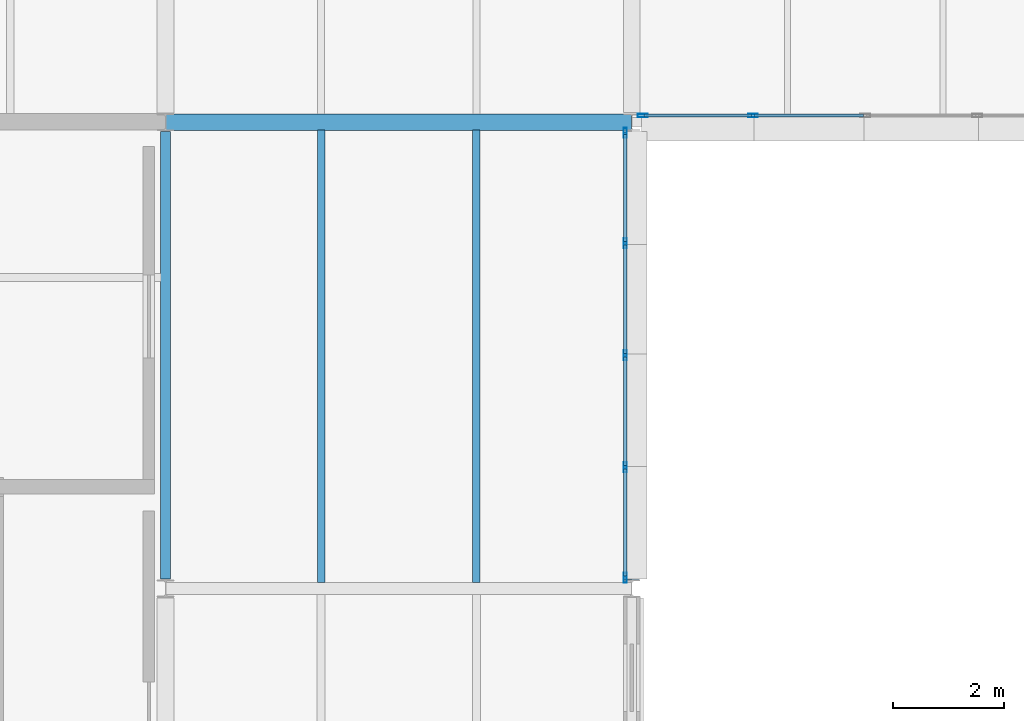
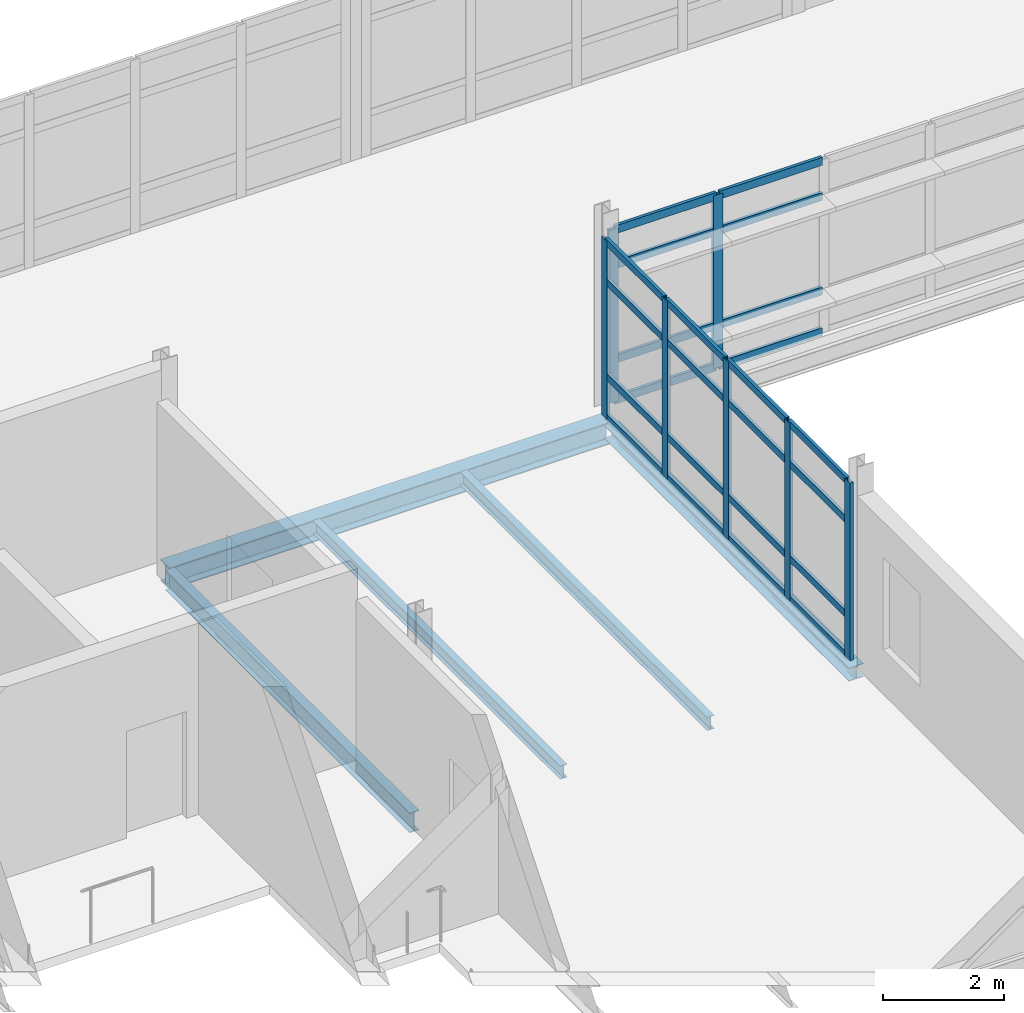
# One storey, part 14 of 103: 31 members, 5 beams, 2 elements without a shape of their own.
"""IFC4 building model written with IfcOpenShell, lengths in metres."""

from ifc_helpers import new_model, si_unit, direction, frame, origin, origin_2d, place, context, subcontext, project, spatial, hollow_rectangle, i_section, extrude, material, material_profile, profile_set, type_object, element, aggregate, save


model = new_model("IFC4")

# Units and contexts
model_context = context("Model", 3, precision=1e-05, world=origin(), true_north=direction((0.0, 1.0)))
body_context = subcontext(model_context, "Body", "Model", "MODEL_VIEW")
ifc_project = project(units=[si_unit("LENGTHUNIT", "METRE"), si_unit("AREAUNIT", "SQUARE_METRE"), si_unit("VOLUMEUNIT", "CUBIC_METRE"), si_unit("PLANEANGLEUNIT", "RADIAN"), si_unit("MASSUNIT", "GRAM", prefix="KILO")], contexts=[model_context])

# Site, building, storey
site_placement = place(None, origin())
site = spatial("IfcSite", under=ifc_project, at=site_placement, CompositionType="ELEMENT")
building_placement = place(site_placement, origin())
building = spatial("IfcBuilding", under=site, at=building_placement, Name="Mersafa Astral City Hall", CompositionType="ELEMENT")
storey_placement = place(building_placement, frame((0.0, 0.0, 18.0)))
storey = spatial("IfcBuildingStorey", under=building, at=storey_placement, Name="L04", CompositionType="ELEMENT", Elevation=18.0)

# Curtain wall, members
ifc_material_1 = material(Name="Anodised bronze aluminium framing", Category="aluminium")
curtain_wall_type_1 = type_object("IfcCurtainWallType", Name="ENV-CW-2", PredefinedType="USERDEFINED", material=ifc_material_1)
curtain_wall_1_placement = place(storey_placement, origin())
curtain_wall_1 = element("IfcCurtainWall", 1, at=curtain_wall_1_placement, inside=storey, type_object=curtain_wall_type_1, Name="L04 Unitised solar curtain wall 199", ObjectType="UNITISED CURTAIN WALL", PredefinedType="USERDEFINED")
ifc_material_profile_1 = material_profile(ifc_material_1, hollow_rectangle(XDim=0.06005859375, YDim=0.179931640625, WallThickness=0.00390625, at=origin_2d()), Name="RHS 60x180x4")
ifc_profile_set_1 = profile_set([ifc_material_profile_1], Name="Anodised bronze aluminium framing")
member_type_1 = type_object("IfcMemberType", Name="ENV-CW-MUL-1", PredefinedType="MULLION", material=ifc_profile_set_1)
member_1_placement = place(storey_placement, frame((25.080078125, 84.19189453125, -0.001953125), z_axis=(0.0, 0.0, 1.0), x_axis=(-1.0, 0.0, 0.0)))
member_1 = element("IfcMember", 2, at=member_1_placement, type_object=member_type_1, Name="CW-2 mullion 1", PredefinedType="MULLION", context=body_context, shape_type="SweptSolid", body=[
    extrude(hollow_rectangle(XDim=0.06005859375, YDim=0.179931640625, WallThickness=0.00390625, at=origin_2d()), origin(), (0.0, 0.0, 1.0), 3.578857421875),
])
member_2_placement = place(storey_placement, frame((25.080078125, 86.180908203125, -0.001953125), z_axis=(0.0, 0.0, 1.0), x_axis=(-1.0, 0.0, 0.0)))
member_2 = element("IfcMember", 3, at=member_2_placement, type_object=member_type_1, Name="CW-2 mullion 2", PredefinedType="MULLION", context=body_context, shape_type="SweptSolid", body=[
    extrude(hollow_rectangle(XDim=0.06005859375, YDim=0.179931640625, WallThickness=0.00390625, at=origin_2d()), origin(), (0.0, 0.0, 1.0), 3.578857421875),
])
member_3_placement = place(storey_placement, frame((25.080078125, 88.199951171875, -0.001953125), z_axis=(0.0, 0.0, 1.0), x_axis=(-1.0, 0.0, 0.0)))
member_3 = element("IfcMember", 4, at=member_3_placement, type_object=member_type_1, Name="CW-2 mullion 3", PredefinedType="MULLION", context=body_context, shape_type="SweptSolid", body=[
    extrude(hollow_rectangle(XDim=0.06005859375, YDim=0.179931640625, WallThickness=0.00390625, at=origin_2d()), origin(), (0.0, 0.0, 1.0), 3.578857421875),
])
member_4_placement = place(storey_placement, frame((25.080078125, 90.218994140625, -0.001953125), z_axis=(0.0, 0.0, 1.0), x_axis=(-1.0, 0.0, 0.0)))
member_4 = element("IfcMember", 5, at=member_4_placement, type_object=member_type_1, Name="CW-2 mullion 4", PredefinedType="MULLION", context=body_context, shape_type="SweptSolid", body=[
    extrude(hollow_rectangle(XDim=0.06005859375, YDim=0.179931640625, WallThickness=0.00390625, at=origin_2d()), origin(), (0.0, 0.0, 1.0), 3.578857421875),
])
member_5_placement = place(storey_placement, frame((25.080078125, 92.2080078125, -0.001953125), z_axis=(0.0, 0.0, 1.0), x_axis=(-1.0, 0.0, 0.0)))
member_5 = element("IfcMember", 6, at=member_5_placement, type_object=member_type_1, Name="CW-2 mullion 5", PredefinedType="MULLION", context=body_context, shape_type="SweptSolid", body=[
    extrude(hollow_rectangle(XDim=0.06005859375, YDim=0.179931640625, WallThickness=0.00390625, at=origin_2d()), origin(), (0.0, 0.0, 1.0), 3.578857421875),
])

curtain_wall_type_2 = type_object("IfcCurtainWallType", Name="ENV-CW-3", PredefinedType="USERDEFINED", material=ifc_material_1)
curtain_wall_2_placement = place(storey_placement, origin())
curtain_wall_2 = element("IfcCurtainWall", 7, at=curtain_wall_2_placement, inside=storey, type_object=curtain_wall_type_2, Name="L04 Unitised solar curtain wall 200", ObjectType="UNITISED CURTAIN WALL", PredefinedType="USERDEFINED")
member_6_placement = place(storey_placement, frame((25.39208984375, 92.52001953125, -0.001953125), z_axis=(0.0, 0.0, 1.0), x_axis=(0.0, 1.0, 0.0)))
member_6 = element("IfcMember", 8, at=member_6_placement, type_object=member_type_1, Name="CW-3 mullion 1", PredefinedType="MULLION", context=body_context, shape_type="SweptSolid", body=[
    extrude(hollow_rectangle(XDim=0.06005859375, YDim=0.179931640625, WallThickness=0.00390625, at=origin_2d()), origin(), (0.0, 0.0, 1.0), 3.489013671875),
])
member_7_placement = place(storey_placement, frame((27.381103515625, 92.52001953125, -0.001953125), z_axis=(0.0, 0.0, 1.0), x_axis=(0.0, 1.0, 0.0)))
member_7 = element("IfcMember", 9, at=member_7_placement, type_object=member_type_1, Name="CW-3 mullion 2", PredefinedType="MULLION", context=body_context, shape_type="SweptSolid", body=[
    extrude(hollow_rectangle(XDim=0.06005859375, YDim=0.179931640625, WallThickness=0.00390625, at=origin_2d()), origin(), (0.0, 0.0, 1.0), 3.489013671875),
])

# Member
ifc_material_profile_2 = material_profile(ifc_material_1, hollow_rectangle(XDim=0.06005859375, YDim=0.139892578125, WallThickness=0.00390625, at=origin_2d()), Name="RHS 60x140x4")
ifc_profile_set_2 = profile_set([ifc_material_profile_2], Name="Anodised bronze aluminium framing")
member_type_2 = type_object("IfcMemberType", Name="ENV-CW-TRN-1", PredefinedType="USERDEFINED", material=ifc_profile_set_2)
member_8_placement = place(storey_placement, frame((25.080078125, 84.221923828125, 0.028076171875), z_axis=(0.0, 1.0, 0.0), x_axis=(-1.0, 0.0, 0.0)))
member_8 = element("IfcMember", 10, at=member_8_placement, type_object=member_type_2, Name="CW-2 transom 1.1", ObjectType="TRANSOM", PredefinedType="USERDEFINED", context=body_context, shape_type="SweptSolid", body=[
    extrude(hollow_rectangle(XDim=0.06005859375, YDim=0.139892578125, WallThickness=0.00390625, at=origin_2d()), origin(), (0.0, 0.0, 1.0), 1.928955078125),
])

member_9_placement = place(storey_placement, frame((25.080078125, 84.221923828125, 0.85009765625), z_axis=(0.0, 1.0, 0.0), x_axis=(-1.0, 0.0, 0.0)))
member_9 = element("IfcMember", 11, at=member_9_placement, type_object=member_type_2, Name="CW-2 transom 1.2", ObjectType="TRANSOM", PredefinedType="USERDEFINED", context=body_context, shape_type="SweptSolid", body=[
    extrude(hollow_rectangle(XDim=0.06005859375, YDim=0.139892578125, WallThickness=0.00390625, at=origin_2d()), origin(), (0.0, 0.0, 1.0), 1.928955078125),
])

member_10_placement = place(storey_placement, frame((25.080078125, 84.221923828125, 2.75), z_axis=(0.0, 1.0, 0.0), x_axis=(-1.0, 0.0, 0.0)))
member_10 = element("IfcMember", 12, at=member_10_placement, type_object=member_type_2, Name="CW-2 transom 1.3", ObjectType="TRANSOM", PredefinedType="USERDEFINED", context=body_context, shape_type="SweptSolid", body=[
    extrude(hollow_rectangle(XDim=0.06005859375, YDim=0.139892578125, WallThickness=0.00390625, at=origin_2d()), origin(), (0.0, 0.0, 1.0), 1.928955078125),
])

member_11_placement = place(storey_placement, frame((25.080078125, 84.221923828125, 3.547119140625), z_axis=(0.0, 1.0, 0.0), x_axis=(-1.0, 0.0, 0.0)))
member_11 = element("IfcMember", 13, at=member_11_placement, type_object=member_type_2, Name="CW-2 transom 1.4", ObjectType="TRANSOM", PredefinedType="USERDEFINED", context=body_context, shape_type="SweptSolid", body=[
    extrude(hollow_rectangle(XDim=0.06005859375, YDim=0.139892578125, WallThickness=0.00390625, at=origin_2d()), origin(), (0.0, 0.0, 1.0), 1.928955078125),
])

member_12_placement = place(storey_placement, frame((25.080078125, 86.2109375, 0.028076171875), z_axis=(0.0, 1.0, 0.0), x_axis=(-1.0, 0.0, 0.0)))
member_12 = element("IfcMember", 14, at=member_12_placement, type_object=member_type_2, Name="CW-2 transom 2.1", ObjectType="TRANSOM", PredefinedType="USERDEFINED", context=body_context, shape_type="SweptSolid", body=[
    extrude(hollow_rectangle(XDim=0.06005859375, YDim=0.139892578125, WallThickness=0.00390625, at=origin_2d()), origin(), (0.0, 0.0, 1.0), 1.958984375),
])

member_13_placement = place(storey_placement, frame((25.080078125, 86.2109375, 0.85009765625), z_axis=(0.0, 1.0, 0.0), x_axis=(-1.0, 0.0, 0.0)))
member_13 = element("IfcMember", 15, at=member_13_placement, type_object=member_type_2, Name="CW-2 transom 2.2", ObjectType="TRANSOM", PredefinedType="USERDEFINED", context=body_context, shape_type="SweptSolid", body=[
    extrude(hollow_rectangle(XDim=0.06005859375, YDim=0.139892578125, WallThickness=0.00390625, at=origin_2d()), origin(), (0.0, 0.0, 1.0), 1.958984375),
])

member_14_placement = place(storey_placement, frame((25.080078125, 86.2109375, 2.75), z_axis=(0.0, 1.0, 0.0), x_axis=(-1.0, 0.0, 0.0)))
member_14 = element("IfcMember", 16, at=member_14_placement, type_object=member_type_2, Name="CW-2 transom 2.3", ObjectType="TRANSOM", PredefinedType="USERDEFINED", context=body_context, shape_type="SweptSolid", body=[
    extrude(hollow_rectangle(XDim=0.06005859375, YDim=0.139892578125, WallThickness=0.00390625, at=origin_2d()), origin(), (0.0, 0.0, 1.0), 1.958984375),
])

member_15_placement = place(storey_placement, frame((25.080078125, 86.2109375, 3.547119140625), z_axis=(0.0, 1.0, 0.0), x_axis=(-1.0, 0.0, 0.0)))
member_15 = element("IfcMember", 17, at=member_15_placement, type_object=member_type_2, Name="CW-2 transom 2.4", ObjectType="TRANSOM", PredefinedType="USERDEFINED", context=body_context, shape_type="SweptSolid", body=[
    extrude(hollow_rectangle(XDim=0.06005859375, YDim=0.139892578125, WallThickness=0.00390625, at=origin_2d()), origin(), (0.0, 0.0, 1.0), 1.958984375),
])

member_16_placement = place(storey_placement, frame((25.080078125, 88.22998046875, 0.028076171875), z_axis=(0.0, 1.0, 0.0), x_axis=(-1.0, 0.0, 0.0)))
member_16 = element("IfcMember", 18, at=member_16_placement, type_object=member_type_2, Name="CW-2 transom 3.1", ObjectType="TRANSOM", PredefinedType="USERDEFINED", context=body_context, shape_type="SweptSolid", body=[
    extrude(hollow_rectangle(XDim=0.06005859375, YDim=0.139892578125, WallThickness=0.00390625, at=origin_2d()), origin(), (0.0, 0.0, 1.0), 1.958984375),
])

member_17_placement = place(storey_placement, frame((25.080078125, 88.22998046875, 0.85009765625), z_axis=(0.0, 1.0, 0.0), x_axis=(-1.0, 0.0, 0.0)))
member_17 = element("IfcMember", 19, at=member_17_placement, type_object=member_type_2, Name="CW-2 transom 3.2", ObjectType="TRANSOM", PredefinedType="USERDEFINED", context=body_context, shape_type="SweptSolid", body=[
    extrude(hollow_rectangle(XDim=0.06005859375, YDim=0.139892578125, WallThickness=0.00390625, at=origin_2d()), origin(), (0.0, 0.0, 1.0), 1.958984375),
])

member_18_placement = place(storey_placement, frame((25.080078125, 88.22998046875, 2.75), z_axis=(0.0, 1.0, 0.0), x_axis=(-1.0, 0.0, 0.0)))
member_18 = element("IfcMember", 20, at=member_18_placement, type_object=member_type_2, Name="CW-2 transom 3.3", ObjectType="TRANSOM", PredefinedType="USERDEFINED", context=body_context, shape_type="SweptSolid", body=[
    extrude(hollow_rectangle(XDim=0.06005859375, YDim=0.139892578125, WallThickness=0.00390625, at=origin_2d()), origin(), (0.0, 0.0, 1.0), 1.958984375),
])

member_19_placement = place(storey_placement, frame((25.080078125, 88.22998046875, 3.547119140625), z_axis=(0.0, 1.0, 0.0), x_axis=(-1.0, 0.0, 0.0)))
member_19 = element("IfcMember", 21, at=member_19_placement, type_object=member_type_2, Name="CW-2 transom 3.4", ObjectType="TRANSOM", PredefinedType="USERDEFINED", context=body_context, shape_type="SweptSolid", body=[
    extrude(hollow_rectangle(XDim=0.06005859375, YDim=0.139892578125, WallThickness=0.00390625, at=origin_2d()), origin(), (0.0, 0.0, 1.0), 1.958984375),
])

member_20_placement = place(storey_placement, frame((25.080078125, 90.2490234375, 0.028076171875), z_axis=(0.0, 1.0, 0.0), x_axis=(-1.0, 0.0, 0.0)))
member_20 = element("IfcMember", 22, at=member_20_placement, type_object=member_type_2, Name="CW-2 transom 4.1", ObjectType="TRANSOM", PredefinedType="USERDEFINED", context=body_context, shape_type="SweptSolid", body=[
    extrude(hollow_rectangle(XDim=0.06005859375, YDim=0.139892578125, WallThickness=0.00390625, at=origin_2d()), origin(), (0.0, 0.0, 1.0), 1.928955078125),
])

member_21_placement = place(storey_placement, frame((25.080078125, 90.2490234375, 0.85009765625), z_axis=(0.0, 1.0, 0.0), x_axis=(-1.0, 0.0, 0.0)))
member_21 = element("IfcMember", 23, at=member_21_placement, type_object=member_type_2, Name="CW-2 transom 4.2", ObjectType="TRANSOM", PredefinedType="USERDEFINED", context=body_context, shape_type="SweptSolid", body=[
    extrude(hollow_rectangle(XDim=0.06005859375, YDim=0.139892578125, WallThickness=0.00390625, at=origin_2d()), origin(), (0.0, 0.0, 1.0), 1.928955078125),
])

member_22_placement = place(storey_placement, frame((25.080078125, 90.2490234375, 2.75), z_axis=(0.0, 1.0, 0.0), x_axis=(-1.0, 0.0, 0.0)))
member_22 = element("IfcMember", 24, at=member_22_placement, type_object=member_type_2, Name="CW-2 transom 4.3", ObjectType="TRANSOM", PredefinedType="USERDEFINED", context=body_context, shape_type="SweptSolid", body=[
    extrude(hollow_rectangle(XDim=0.06005859375, YDim=0.139892578125, WallThickness=0.00390625, at=origin_2d()), origin(), (0.0, 0.0, 1.0), 1.928955078125),
])

member_23_placement = place(storey_placement, frame((25.080078125, 90.2490234375, 3.547119140625), z_axis=(0.0, 1.0, 0.0), x_axis=(-1.0, 0.0, 0.0)))
member_23 = element("IfcMember", 25, at=member_23_placement, type_object=member_type_2, Name="CW-2 transom 4.4", ObjectType="TRANSOM", PredefinedType="USERDEFINED", context=body_context, shape_type="SweptSolid", body=[
    extrude(hollow_rectangle(XDim=0.06005859375, YDim=0.139892578125, WallThickness=0.00390625, at=origin_2d()), origin(), (0.0, 0.0, 1.0), 1.928955078125),
])

aggregate(curtain_wall_1, [member_1, member_2, member_3, member_4, member_5, member_8, member_9, member_10, member_11, member_12, member_13, member_14, member_15, member_16, member_17, member_18, member_19, member_20, member_21, member_22, member_23])

ifc_material_profile_3 = material_profile(ifc_material_1, hollow_rectangle(XDim=0.06005859375, YDim=0.159912109375, WallThickness=0.00390625, at=origin_2d()), Name="RHS 60x160x4")
ifc_profile_set_3 = profile_set([ifc_material_profile_3], Name="Anodised bronze aluminium framing")
member_type_3 = type_object("IfcMemberType", Name="ENV-CW-TRN-2", PredefinedType="USERDEFINED", material=ifc_profile_set_3)
member_24_placement = place(storey_placement, frame((25.422119140625, 92.52001953125, 0.028076171875), z_axis=(1.0, 0.0, 0.0), x_axis=(0.0, 1.0, 0.0)))
member_24 = element("IfcMember", 26, at=member_24_placement, type_object=member_type_3, Name="CW-3 transom 1.1", ObjectType="TRANSOM", PredefinedType="USERDEFINED", context=body_context, shape_type="SweptSolid", body=[
    extrude(hollow_rectangle(XDim=0.06005859375, YDim=0.159912109375, WallThickness=0.00390625, at=origin_2d()), origin(), (0.0, 0.0, 1.0), 1.928955078125),
])

member_25_placement = place(storey_placement, frame((25.422119140625, 92.52001953125, 0.85009765625), z_axis=(1.0, 0.0, 0.0), x_axis=(0.0, 1.0, 0.0)))
member_25 = element("IfcMember", 27, at=member_25_placement, type_object=member_type_3, Name="CW-3 transom 1.2", ObjectType="TRANSOM", PredefinedType="USERDEFINED", context=body_context, shape_type="SweptSolid", body=[
    extrude(hollow_rectangle(XDim=0.06005859375, YDim=0.159912109375, WallThickness=0.00390625, at=origin_2d()), origin(), (0.0, 0.0, 1.0), 1.928955078125),
])

member_26_placement = place(storey_placement, frame((25.422119140625, 92.52001953125, 2.75), z_axis=(1.0, 0.0, 0.0), x_axis=(0.0, 1.0, 0.0)))
member_26 = element("IfcMember", 28, at=member_26_placement, type_object=member_type_3, Name="CW-3 transom 1.3", ObjectType="TRANSOM", PredefinedType="USERDEFINED", context=body_context, shape_type="SweptSolid", body=[
    extrude(hollow_rectangle(XDim=0.06005859375, YDim=0.159912109375, WallThickness=0.00390625, at=origin_2d()), origin(), (0.0, 0.0, 1.0), 1.928955078125),
])

member_27_placement = place(storey_placement, frame((25.422119140625, 92.52001953125, 3.45703125), z_axis=(1.0, 0.0, 0.0), x_axis=(0.0, 1.0, 0.0)))
member_27 = element("IfcMember", 29, at=member_27_placement, type_object=member_type_3, Name="CW-3 transom 1.4", ObjectType="TRANSOM", PredefinedType="USERDEFINED", context=body_context, shape_type="SweptSolid", body=[
    extrude(hollow_rectangle(XDim=0.06005859375, YDim=0.159912109375, WallThickness=0.00390625, at=origin_2d()), origin(), (0.0, 0.0, 1.0), 1.928955078125),
])

member_28_placement = place(storey_placement, frame((27.410888671875, 92.52001953125, 0.028076171875), z_axis=(1.0, 0.0, 0.0), x_axis=(0.0, 1.0, 0.0)))
member_28 = element("IfcMember", 30, at=member_28_placement, type_object=member_type_3, Name="CW-3 transom 2.1", ObjectType="TRANSOM", PredefinedType="USERDEFINED", context=body_context, shape_type="SweptSolid", body=[
    extrude(hollow_rectangle(XDim=0.06005859375, YDim=0.159912109375, WallThickness=0.00390625, at=origin_2d()), origin(), (0.0, 0.0, 1.0), 1.959228515625),
])

member_29_placement = place(storey_placement, frame((27.410888671875, 92.52001953125, 0.85009765625), z_axis=(1.0, 0.0, 0.0), x_axis=(0.0, 1.0, 0.0)))
member_29 = element("IfcMember", 31, at=member_29_placement, type_object=member_type_3, Name="CW-3 transom 2.2", ObjectType="TRANSOM", PredefinedType="USERDEFINED", context=body_context, shape_type="SweptSolid", body=[
    extrude(hollow_rectangle(XDim=0.06005859375, YDim=0.159912109375, WallThickness=0.00390625, at=origin_2d()), origin(), (0.0, 0.0, 1.0), 1.959228515625),
])

member_30_placement = place(storey_placement, frame((27.410888671875, 92.52001953125, 2.75), z_axis=(1.0, 0.0, 0.0), x_axis=(0.0, 1.0, 0.0)))
member_30 = element("IfcMember", 32, at=member_30_placement, type_object=member_type_3, Name="CW-3 transom 2.3", ObjectType="TRANSOM", PredefinedType="USERDEFINED", context=body_context, shape_type="SweptSolid", body=[
    extrude(hollow_rectangle(XDim=0.06005859375, YDim=0.159912109375, WallThickness=0.00390625, at=origin_2d()), origin(), (0.0, 0.0, 1.0), 1.959228515625),
])

member_31_placement = place(storey_placement, frame((27.410888671875, 92.52001953125, 3.45703125), z_axis=(1.0, 0.0, 0.0), x_axis=(0.0, 1.0, 0.0)))
member_31 = element("IfcMember", 33, at=member_31_placement, type_object=member_type_3, Name="CW-3 transom 2.4", ObjectType="TRANSOM", PredefinedType="USERDEFINED", context=body_context, shape_type="SweptSolid", body=[
    extrude(hollow_rectangle(XDim=0.06005859375, YDim=0.159912109375, WallThickness=0.00390625, at=origin_2d()), origin(), (0.0, 0.0, 1.0), 1.959228515625),
])

aggregate(curtain_wall_2, [member_6, member_7, member_24, member_25, member_26, member_27, member_28, member_29, member_30, member_31])

# Beams
ifc_material_2 = material(Name="Steel S355", Category="steel")
ifc_material_profile_4 = material_profile(ifc_material_2, i_section(OverallWidth=0.300048828125, OverallDepth=0.43994140625, WebThickness=0.011474609375, FlangeThickness=0.02099609375, FilletRadius=0.027099609375, at=origin_2d()), Name="HEA 450")
ifc_profile_set_4 = profile_set([ifc_material_profile_4], Name="Steel S355")
beam_type_1 = type_object("IfcBeamType", Name="STR-BM-HEA450", PredefinedType="BEAM", material=ifc_profile_set_4)
beam_1_placement = place(storey_placement, frame((16.802978515625, 92.39990234375, -0.405029296875), z_axis=(1.0, 0.0, 0.0), x_axis=(0.0, 1.0, 0.0)))
element("IfcBeam", 34, at=beam_1_placement, inside=storey, type_object=beam_type_1, Name="L04 Primary girder X 2-11", PredefinedType="BEAM", context=body_context, shape_type="SweptSolid", body=[
    extrude(i_section(OverallWidth=0.300048828125, OverallDepth=0.43994140625, WebThickness=0.011474609375, FlangeThickness=0.02099609375, FilletRadius=0.027099609375, at=origin_2d()), origin(), (0.0, 0.0, 1.0), 8.39404296875),
])
ifc_material_profile_5 = material_profile(ifc_material_2, i_section(OverallWidth=0.179931640625, OverallDepth=0.39990234375, WebThickness=0.008544921875, FlangeThickness=0.013427734375, FilletRadius=0.02099609375, at=origin_2d()), Name="IPE 400")
ifc_profile_set_5 = profile_set([ifc_material_profile_5], Name="Steel S355")
beam_type_2 = type_object("IfcBeamType", Name="STR-BM-IPE400", PredefinedType="BEAM", material=ifc_profile_set_5)
beam_2_placement = place(storey_placement, frame((16.800048828125, 84.175048828125, -0.385009765625), z_axis=(0.0, 1.0, 0.0), x_axis=(-1.0, 0.0, 0.0)))
element("IfcBeam", 35, at=beam_2_placement, inside=storey, type_object=beam_type_2, Name="L04 Primary girder Y 2-10", PredefinedType="BEAM", context=body_context, shape_type="SweptSolid", body=[
    extrude(i_section(OverallWidth=0.179931640625, OverallDepth=0.39990234375, WebThickness=0.008544921875, FlangeThickness=0.013427734375, FilletRadius=0.02099609375, at=origin_2d()), origin(), (0.0, 0.0, 1.0), 8.06005859375),
])
ifc_material_profile_6 = material_profile(ifc_material_2, i_section(OverallWidth=0.135009765625, OverallDepth=0.27001953125, WebThickness=0.006591796875, FlangeThickness=0.01025390625, FilletRadius=0.014892578125, at=origin_2d()), Name="IPE 270")
ifc_profile_set_6 = profile_set([ifc_material_profile_6], Name="Steel S355")
beam_type_3 = type_object("IfcBeamType", Name="STR-BM-JOIST-IPE270", PredefinedType="JOIST", material=ifc_profile_set_6)
for number, where, z_axis, x_axis, name in (
    (36, (19.60009765625, 84.10498046875, -0.320068359375), (0.0, 1.0, 0.0), (-1.0, 0.0, 0.0), "L04 Composite secondary floor joist 686"),
    (37, (22.39990234375, 84.10498046875, -0.320068359375), (0.0, 1.0, 0.0), (-1.0, 0.0, 0.0), "L04 Composite secondary floor joist 687"),
):
    element("IfcBeam", number, at=place(storey_placement, frame(where, z_axis=z_axis, x_axis=x_axis)), inside=storey, type_object=beam_type_3, Name=name, PredefinedType="JOIST", context=body_context, shape_type="SweptSolid", body=[
        extrude(i_section(OverallWidth=0.135009765625, OverallDepth=0.27001953125, WebThickness=0.006591796875, FlangeThickness=0.01025390625, FilletRadius=0.014892578125, at=origin_2d()), origin(), (0.0, 0.0, 1.0), 8.14990234375),
    ])
ifc_material_profile_7 = material_profile(ifc_material_2, i_section(OverallWidth=0.280029296875, OverallDepth=0.27001953125, WebThickness=0.008056640625, FlangeThickness=0.012939453125, FilletRadius=0.02392578125, at=origin_2d()), Name="HEA 280")
ifc_profile_set_7 = profile_set([ifc_material_profile_7], Name="Steel S355")
beam_type_4 = type_object("IfcBeamType", Name="STR-BM-SPANDREL-HEA280", PredefinedType="SPANDREL", material=ifc_profile_set_7)
beam_3_placement = place(storey_placement, frame((25.199951171875, 84.1650390625, -0.320068359375), z_axis=(0.0, 1.0, 0.0), x_axis=(-1.0, 0.0, 0.0)))
element("IfcBeam", 38, at=beam_3_placement, inside=storey, type_object=beam_type_4, Name="L04 Primary girder Y 3-10", PredefinedType="SPANDREL", context=body_context, shape_type="SweptSolid", body=[
    extrude(i_section(OverallWidth=0.280029296875, OverallDepth=0.27001953125, WebThickness=0.008056640625, FlangeThickness=0.012939453125, FilletRadius=0.02392578125, at=origin_2d()), origin(), (0.0, 0.0, 1.0), 8.06005859375),
])

save(model, "model.ifc")
